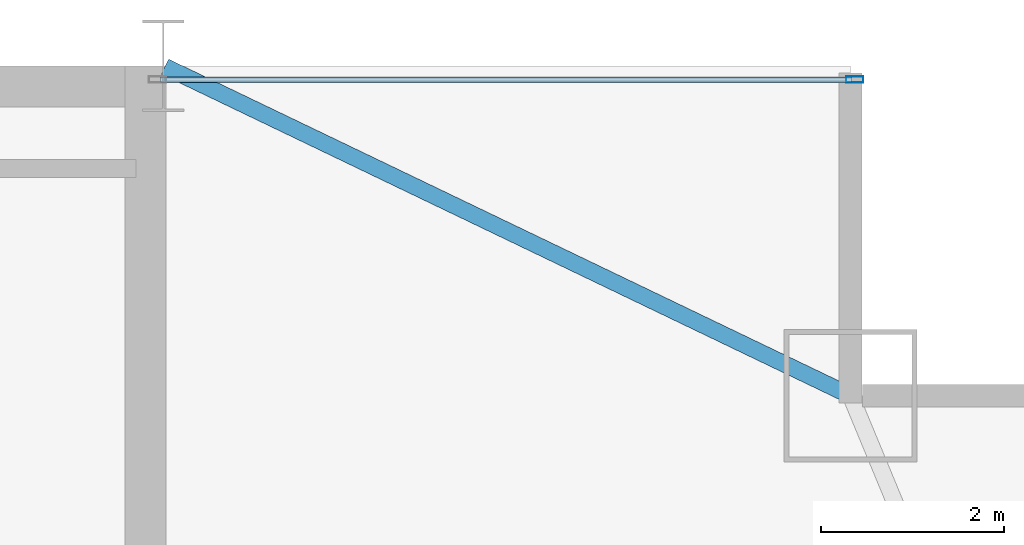
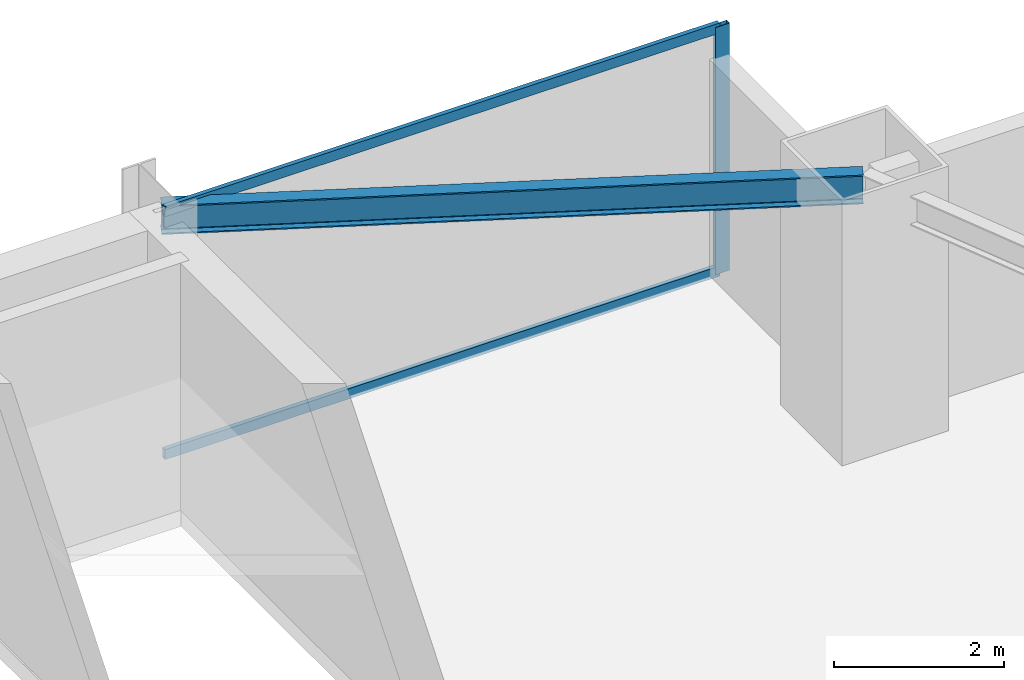
# One storey, part 25 of 32: 3 members, 1 beam, 1 element without a shape of its own.
"""IFC4 building model written with IfcOpenShell, lengths in metres."""

from ifc_helpers import new_model, si_unit, direction, frame, origin, origin_2d, place, context, subcontext, project, spatial, hollow_rectangle, i_section, extrude, source, transform, mapped, material, layer, layer_set, material_profile, profile_set, type_object, type_shapes, element, aggregate, save


model = new_model("IFC4")

# Units and contexts
model_context = context("Model", 3, precision=1e-05, world=origin(), true_north=direction((0.0, 1.0)))
body_context = subcontext(model_context, "Body", "Model", "MODEL_VIEW")
ifc_project = project(units=[si_unit("LENGTHUNIT", "METRE"), si_unit("AREAUNIT", "SQUARE_METRE"), si_unit("VOLUMEUNIT", "CUBIC_METRE"), si_unit("PLANEANGLEUNIT", "RADIAN"), si_unit("MASSUNIT", "GRAM", prefix="KILO")], contexts=[model_context])

# Site, building, storey
site_placement = place(None, origin())
site = spatial("IfcSite", under=ifc_project, at=site_placement, CompositionType="ELEMENT")
building_placement = place(site_placement, origin())
building = spatial("IfcBuilding", under=site, at=building_placement, Name="Varnel Quay Broadcast Tower", CompositionType="ELEMENT")
storey_placement = place(building_placement, frame((0.0, 0.0, 90.800048828125)))
storey = spatial("IfcBuildingStorey", under=building, at=storey_placement, Name="L21", CompositionType="ELEMENT", Elevation=90.800048828125)

# Beam
ifc_material_1 = material(Name="Structural Steel CSA G40.21 350W", Category="steel")
ifc_material_profile_1 = material_profile(ifc_material_1, i_section(OverallWidth=0.180908203125, OverallDepth=0.4169921875, WebThickness=0.010986328125, FlangeThickness=0.018310546875, FilletRadius=0.011962890625, at=origin_2d()), Name="W410X85")
ifc_profile_set_1 = profile_set([ifc_material_profile_1], Name="Structural Steel CSA G40.21 350W")
beam_type = type_object("IfcBeamType", Name="Beam_W410X85", PredefinedType="SPANDREL", material=ifc_profile_set_1)
shared_shape_1 = source(origin(), body_context, "Body", "SweptSolid", [
    extrude(i_section(OverallWidth=0.180908203125, OverallDepth=0.4169921875, WebThickness=0.010986328125, FlangeThickness=0.018310546875, FilletRadius=0.011962890625, at=origin_2d()), origin(), (0.0, 0.0, 1.0), 8.279296875),
])
type_shapes(beam_type, [shared_shape_1])
beam_placement = place(storey_placement, frame((52.41796875, 46.791259765625, 3.341552734375), z_axis=(0.901535021024, -0.432706142626, 0.0), x_axis=(0.432706142626, 0.901535021024, 0.0)))
element("IfcBeam", 1, at=beam_placement, inside=storey, type_object=beam_type, Name="L21 NE Tie Spandrel", PredefinedType="SPANDREL", context=body_context, shape_type="MappedRepresentation", body=[
    mapped(shared_shape_1, transform((0.0, 0.0, 0.0), x_axis=(1.0, 0.0, 0.0), y_axis=(0.0, 1.0, 0.0), z_axis=(0.0, 0.0, 1.0), scale=1.0)),
])

# Curtain wall, members
ifc_material_2 = material(Name="Anodised Bronze Aluminium 6063-T6", Category="aluminium")
ifc_layer = layer(ifc_material_2, 0.18994140625, Name="Anodised Bronze Aluminium 6063-T6")
ifc_layer_set = layer_set([ifc_layer], Name="Anodised Bronze Aluminium 6063-T6")
curtain_wall_type = type_object("IfcCurtainWallType", Name="CW_LowerTower", PredefinedType="NOTDEFINED", material=ifc_layer_set)
curtain_wall_placement = place(storey_placement, origin())
curtain_wall = element("IfcCurtainWall", 2, at=curtain_wall_placement, inside=storey, type_object=curtain_wall_type, Name="L21 NE Wing Curtain Wall", PredefinedType="NOTDEFINED")
ifc_material_profile_2 = material_profile(ifc_material_2, hollow_rectangle(XDim=0.070068359375, YDim=0.18994140625, WallThickness=0.00390625, at=origin_2d()), Name="ALU70X190X4")
ifc_profile_set_2 = profile_set([ifc_material_profile_2], Name="Anodised Bronze Aluminium 6063-T6")
member_type_1 = type_object("IfcMemberType", Name="Mull_CWS-02", PredefinedType="MULLION", material=ifc_profile_set_2)
shared_shape_2 = source(origin(), body_context, "Body", "SweptSolid", [
    extrude(hollow_rectangle(XDim=0.070068359375, YDim=0.18994140625, WallThickness=0.00390625, at=origin_2d()), origin(), (0.0, 0.0, 1.0), 3.550048828125),
])
type_shapes(member_type_1, [shared_shape_2])
member_1_placement = place(storey_placement, frame((59.945068359375, 46.64990234375, 0.0), z_axis=(0.0, 0.0, 1.0), x_axis=(0.0, 1.0, 0.0)))
member_1 = element("IfcMember", 3, at=member_1_placement, type_object=member_type_1, Name="CWS-02 mullion 2", PredefinedType="MULLION", context=body_context, shape_type="MappedRepresentation", body=[
    mapped(shared_shape_2, transform((0.0, 0.0, 0.0), x_axis=(1.0, 0.0, 0.0), y_axis=(0.0, 1.0, 0.0), z_axis=(0.0, 0.0, 1.0), scale=1.0)),
])
ifc_material_profile_3 = material_profile(ifc_material_2, hollow_rectangle(XDim=0.06005859375, YDim=0.14501953125, WallThickness=0.00341796875, at=origin_2d()), Name="ALU60X145X3.5")
ifc_profile_set_3 = profile_set([ifc_material_profile_3], Name="Anodised Bronze Aluminium 6063-T6")
member_type_2 = type_object("IfcMemberType", Name="Tran_CWS-02", PredefinedType="USERDEFINED", material=ifc_profile_set_3)
shared_shape_3 = source(origin(), body_context, "Body", "SweptSolid", [
    extrude(hollow_rectangle(XDim=0.06005859375, YDim=0.14501953125, WallThickness=0.00341796875, at=origin_2d()), origin(), (0.0, 0.0, 1.0), 7.539794921875),
])
type_shapes(member_type_2, [shared_shape_3])
member_2_placement = place(storey_placement, frame((52.3701171875, 46.64990234375, 0.030029296875), z_axis=(1.0, 0.0, 0.0), x_axis=(0.0, 1.0, 0.0)))
member_2 = element("IfcMember", 4, at=member_2_placement, type_object=member_type_2, Name="CWS-02 transom 1.1", ObjectType="TRANSOM", PredefinedType="USERDEFINED", context=body_context, shape_type="MappedRepresentation", body=[
    mapped(shared_shape_3, transform((0.0, 0.0, 0.0), x_axis=(1.0, 0.0, 0.0), y_axis=(0.0, 1.0, 0.0), z_axis=(0.0, 0.0, 1.0), scale=1.0)),
])
member_3_placement = place(storey_placement, frame((52.3701171875, 46.64990234375, 3.52001953125), z_axis=(1.0, 0.0, 0.0), x_axis=(0.0, 1.0, 0.0)))
member_3 = element("IfcMember", 5, at=member_3_placement, type_object=member_type_2, Name="CWS-02 transom 1.2", ObjectType="TRANSOM", PredefinedType="USERDEFINED", context=body_context, shape_type="MappedRepresentation", body=[
    mapped(shared_shape_3, transform((0.0, 0.0, 0.0), x_axis=(1.0, 0.0, 0.0), y_axis=(0.0, 1.0, 0.0), z_axis=(0.0, 0.0, 1.0), scale=1.0)),
])
aggregate(curtain_wall, [member_1, member_2, member_3])

save(model, "model.ifc")
